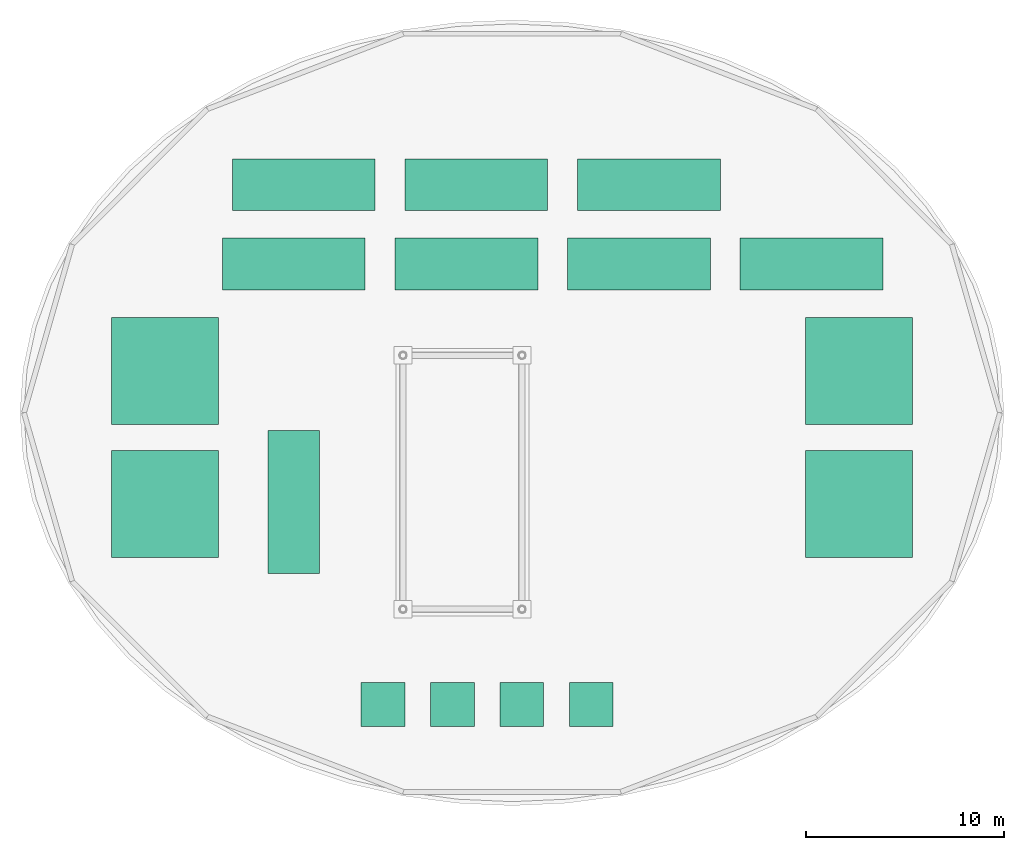
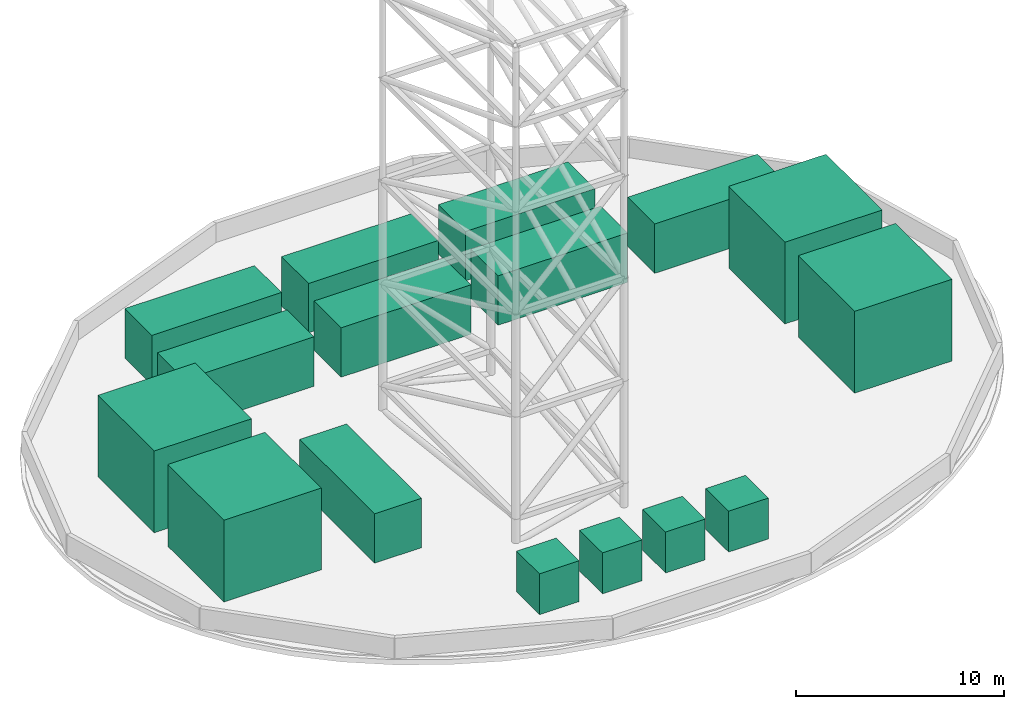
# One storey, part 4 of 4: 8 unitary equipment elements, 4 cooling towers, 4 fans.
"""IFC4 building model written with IfcOpenShell, lengths in metres."""

from ifc_helpers import new_model, si_unit, direction, frame, origin, origin_2d, place, context, subcontext, project, spatial, rectangle, extrude, material, type_object, element, save


model = new_model("IFC4")

# Units and contexts
model_context = context("Model", 3, precision=1e-05, world=origin(), true_north=direction((0.0, 1.0)))
body_context = subcontext(model_context, "Body", "Model", "MODEL_VIEW")
ifc_project = project(units=[si_unit("LENGTHUNIT", "METRE"), si_unit("AREAUNIT", "SQUARE_METRE"), si_unit("VOLUMEUNIT", "CUBIC_METRE"), si_unit("PLANEANGLEUNIT", "RADIAN"), si_unit("MASSUNIT", "GRAM", prefix="KILO")], contexts=[model_context])

# Site, building, storey
site_placement = place(None, origin())
site = spatial("IfcSite", under=ifc_project, at=site_placement, CompositionType="ELEMENT")
building_placement = place(site_placement, origin())
building = spatial("IfcBuilding", under=site, at=building_placement, Name="Kazevale Care Tower and Concert Hall", CompositionType="ELEMENT")
storey_placement = place(building_placement, frame((0.0, 0.0, 312.800048828125)))
storey = spatial("IfcBuildingStorey", under=building, at=storey_placement, Name="Roof Deck", CompositionType="ELEMENT", Elevation=312.800048828125)

# Cooling towers
ifc_material_1 = material(Name="GRP Polyester Laminate")
cooling_tower_type = type_object("IfcCoolingTowerType", Name="Roof Cooling Tower Cell 5400x5400", PredefinedType="MECHANICALINDUCEDDRAFT", material=ifc_material_1)
for number, where, z_axis, x_axis, name in (
    (1, (18.0, 35.60009765625, 0.080078125), (0.0, 0.0, 1.0), (1.0, 0.0, 0.0), "Roof Cooling Tower Cell 1"),
    (2, (18.0, 28.89990234375, 0.080078125), (0.0, 0.0, 1.0), (1.0, 0.0, 0.0), "Roof Cooling Tower Cell 2"),
    (3, (53.0, 35.60009765625, 0.080078125), (0.0, 0.0, 1.0), (1.0, 0.0, 0.0), "Roof Cooling Tower Cell 3"),
    (4, (53.0, 28.89990234375, 0.080078125), (0.0, 0.0, 1.0), (1.0, 0.0, 0.0), "Roof Cooling Tower Cell 4"),
):
    element("IfcCoolingTower", number, at=place(storey_placement, frame(where, z_axis=z_axis, x_axis=x_axis)), inside=storey, type_object=cooling_tower_type, Name=name, PredefinedType="MECHANICALINDUCEDDRAFT", context=body_context, shape_type="SweptSolid", body=[
        extrude(rectangle(XDim=5.39990234375, YDim=5.39990234375, at=origin_2d()), origin(), (0.0, 0.0, 1.0), 4.800048828125),
    ])

# Fans
ifc_material_2 = material(Name="Aluminium 6063-T6", Category="aluminium")
fan_type = type_object("IfcFanType", Name="Roof Exhaust Fan 2200x2200", PredefinedType="VANEAXIAL", material=ifc_material_2)
for number, where, z_axis, x_axis, name in (
    (5, (29.0, 18.800048828125, 0.080078125), (0.0, 0.0, 1.0), (1.0, 0.0, 0.0), "Roof Exhaust Fan 1"),
    (6, (32.5, 18.800048828125, 0.080078125), (0.0, 0.0, 1.0), (1.0, 0.0, 0.0), "Roof Exhaust Fan 2"),
    (7, (36.0, 18.800048828125, 0.080078125), (0.0, 0.0, 1.0), (1.0, 0.0, 0.0), "Roof Exhaust Fan 3"),
    (8, (39.5, 18.800048828125, 0.080078125), (0.0, 0.0, 1.0), (1.0, 0.0, 0.0), "Roof Exhaust Fan 4"),
):
    element("IfcFan", number, at=place(storey_placement, frame(where, z_axis=z_axis, x_axis=x_axis)), inside=storey, type_object=fan_type, Name=name, PredefinedType="VANEAXIAL", context=body_context, shape_type="SweptSolid", body=[
        extrude(rectangle(XDim=2.199951171875, YDim=2.199951171875, at=origin_2d()), origin(), (0.0, 0.0, 1.0), 2.39990234375),
    ])

# Unitary equipment
unitary_equipment_type = type_object("IfcUnitaryEquipmentType", Name="Rooftop Air Handling Unit 7200x2600", PredefinedType="AIRHANDLER", material=ifc_material_2)
for number, where, z_axis, x_axis, name in (
    (9, (25.0, 45.0, 0.080078125), (0.0, 0.0, 1.0), (1.0, 0.0, 0.0), "Rooftop Air Handling Unit 1"),
    (10, (33.699951171875, 45.0, 0.080078125), (0.0, 0.0, 1.0), (1.0, 0.0, 0.0), "Rooftop Air Handling Unit 2"),
    (11, (42.39990234375, 45.0, 0.080078125), (0.0, 0.0, 1.0), (1.0, 0.0, 0.0), "Rooftop Air Handling Unit 3"),
    (12, (24.5, 41.0, 0.080078125), (0.0, 0.0, 1.0), (1.0, 0.0, 0.0), "Rooftop Air Handling Unit 4"),
    (13, (33.199951171875, 41.0, 0.080078125), (0.0, 0.0, 1.0), (1.0, 0.0, 0.0), "Rooftop Air Handling Unit 5"),
    (14, (41.89990234375, 41.0, 0.080078125), (0.0, 0.0, 1.0), (1.0, 0.0, 0.0), "Rooftop Air Handling Unit 6"),
    (15, (50.60009765625, 41.0, 0.080078125), (0.0, 0.0, 1.0), (1.0, 0.0, 0.0), "Rooftop Air Handling Unit 7"),
    (16, (24.5, 29.0, 0.080078125), (0.0, 0.0, 1.0), (0.0, 1.0, 0.0), "Rooftop Air Handling Unit 8"),
):
    element("IfcUnitaryEquipment", number, at=place(storey_placement, frame(where, z_axis=z_axis, x_axis=x_axis)), inside=storey, type_object=unitary_equipment_type, Name=name, PredefinedType="AIRHANDLER", context=body_context, shape_type="SweptSolid", body=[
        extrude(rectangle(XDim=7.199951171875, YDim=2.60009765625, at=origin_2d()), origin(), (0.0, 0.0, 1.0), 2.89990234375),
    ])

save(model, "model.ifc")
